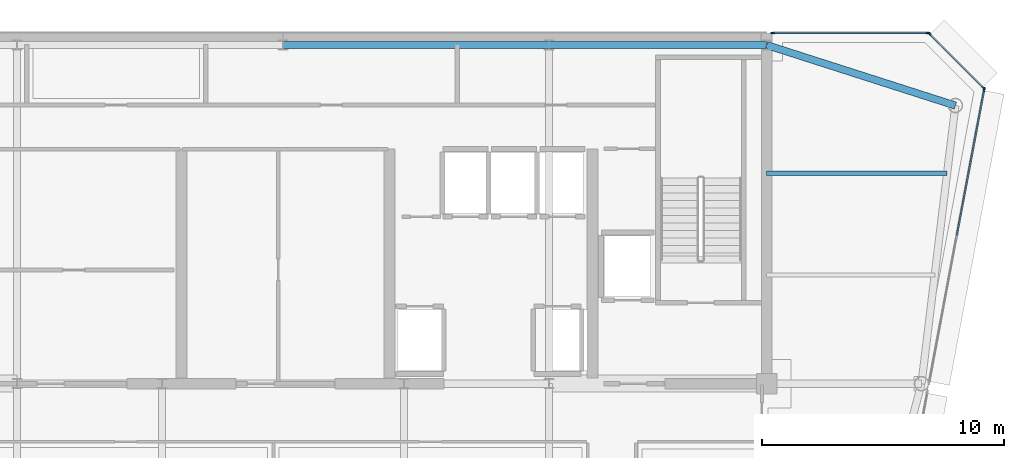
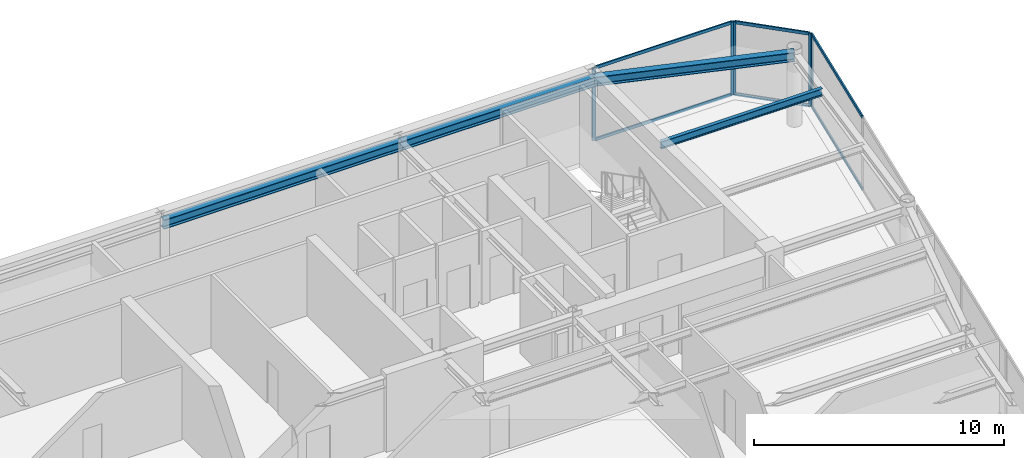
# One storey, part 9 of 20: 11 members, 4 beams, 3 elements without a shape of their own.
"""IFC4 building model written with IfcOpenShell, lengths in metres."""

from ifc_helpers import new_model, si_unit, direction, frame, origin, origin_2d, place, context, subcontext, project, spatial, rectangle, i_section, extrude, source, transform, mapped, material, layer, layer_set, material_profile, profile_set, type_object, element, aggregate, save


model = new_model("IFC4")

# Units and contexts
model_context = context("Model", 3, precision=1e-05, world=origin(), true_north=direction((0.0, 1.0)))
body_context = subcontext(model_context, "Body", "Model", "MODEL_VIEW")
ifc_project = project(units=[si_unit("LENGTHUNIT", "METRE"), si_unit("AREAUNIT", "SQUARE_METRE"), si_unit("VOLUMEUNIT", "CUBIC_METRE"), si_unit("PLANEANGLEUNIT", "RADIAN"), si_unit("MASSUNIT", "GRAM", prefix="KILO")], contexts=[model_context])

# Site, building, storey
site_placement = place(None, origin())
site = spatial("IfcSite", under=ifc_project, at=site_placement, CompositionType="ELEMENT")
building_placement = place(site_placement, origin())
building = spatial("IfcBuilding", under=site, at=building_placement, Name="Vaeldorn Concourse Tower", CompositionType="ELEMENT")
storey_placement = place(building_placement, frame((0.0, 0.0, 284.0)))
storey = spatial("IfcBuildingStorey", under=building, at=storey_placement, Name="L73", CompositionType="ELEMENT", Elevation=284.0)

# Beams
ifc_material_1 = material(Name="Steel S355", Category="steel")
ifc_material_profile_1 = material_profile(ifc_material_1, i_section(OverallWidth=0.300048828125, OverallDepth=0.449951171875, WebThickness=0.013916015625, FlangeThickness=0.02587890625, FilletRadius=0.027099609375, at=origin_2d()), Name="HEB 450")
ifc_profile_set_1 = profile_set([ifc_material_profile_1], Name="Steel S355")
beam_type_1 = type_object("IfcBeamType", Name="BM-PG-HEB450", PredefinedType="BEAM", material=ifc_profile_set_1)
shared_shape_1 = source(origin(), body_context, "Body", "SweptSolid", [
    extrude(i_section(OverallWidth=0.300048828125, OverallDepth=0.449951171875, WebThickness=0.013916015625, FlangeThickness=0.02587890625, FilletRadius=0.027099609375, at=origin_2d()), origin(), (0.0, 0.0, 1.0), 11.0),
])
beam_1_placement = place(storey_placement, frame((34.0, 50.5, 3.35498046875), z_axis=(1.0, 0.0, 0.0), x_axis=(0.0, 1.0, 0.0)))
element("IfcBeam", 1, at=beam_1_placement, inside=storey, type_object=beam_type_1, Name="Beam BM-L73-C-HC3-C-HC4", PredefinedType="BEAM", context=body_context, shape_type="MappedRepresentation", body=[
    mapped(shared_shape_1, transform((0.0, 0.0, 0.0), scale=1.0)),
])
ifc_material_profile_2 = material_profile(ifc_material_1, i_section(OverallWidth=0.169921875, OverallDepth=0.360107421875, WebThickness=0.008056640625, FlangeThickness=0.0126953125, FilletRadius=0.01806640625, at=origin_2d()), Name="IPE 360")
ifc_profile_set_2 = profile_set([ifc_material_profile_2], Name="Steel S355")
beam_type_2 = type_object("IfcBeamType", Name="BM-JS-IPE360", PredefinedType="JOIST", material=ifc_profile_set_2)
shared_shape_2 = source(origin(), body_context, "Body", "SweptSolid", [
    extrude(i_section(OverallWidth=0.169921875, OverallDepth=0.360107421875, WebThickness=0.008056640625, FlangeThickness=0.0126953125, FilletRadius=0.01806640625, at=origin_2d()), origin(), (0.0, 0.0, 1.0), 7.458984375),
])
beam_2_placement = place(storey_placement, frame((54.0, 45.199951171875, 3.39990234375), z_axis=(1.0, 0.0, 0.0), x_axis=(0.0, 1.0, 0.0)))
element("IfcBeam", 2, at=beam_2_placement, inside=storey, type_object=beam_type_2, Name="Beam JS-L73-NE-452", PredefinedType="JOIST", context=body_context, shape_type="MappedRepresentation", body=[
    mapped(shared_shape_2, transform((0.0, 0.0, 0.0), scale=1.0)),
])
shared_shape_3 = source(origin(), body_context, "Body", "SweptSolid", [
    extrude(i_section(OverallWidth=0.300048828125, OverallDepth=0.449951171875, WebThickness=0.013916015625, FlangeThickness=0.02587890625, FilletRadius=0.027099609375, at=origin_2d()), origin(), (0.0, 0.0, 1.0), 9.0),
])
beam_3_placement = place(storey_placement, frame((45.0, 50.5, 3.35498046875), z_axis=(1.0, 0.0, 0.0), x_axis=(0.0, 1.0, 0.0)))
element("IfcBeam", 3, at=beam_3_placement, inside=storey, type_object=beam_type_1, Name="Beam BM-L73-C-HC4-C-HC5", PredefinedType="BEAM", context=body_context, shape_type="MappedRepresentation", body=[
    mapped(shared_shape_3, transform((0.0, 0.0, 0.0), scale=1.0)),
])
shared_shape_4 = source(origin(), body_context, "Body", "SweptSolid", [
    extrude(i_section(OverallWidth=0.300048828125, OverallDepth=0.449951171875, WebThickness=0.013916015625, FlangeThickness=0.02587890625, FilletRadius=0.027099609375, at=origin_2d()), origin(), (0.0, 0.0, 1.0), 8.19091796875),
])
beam_4_placement = place(storey_placement, frame((54.0, 50.5, 3.35498046875), z_axis=(0.952282843383, -0.305216949396, 0.0), x_axis=(0.305216949396, 0.952282843383, 0.0)))
element("IfcBeam", 4, at=beam_4_placement, inside=storey, type_object=beam_type_1, Name="Beam BM-L73-C-HC5-C-NE1", PredefinedType="BEAM", context=body_context, shape_type="MappedRepresentation", body=[
    mapped(shared_shape_4, transform((0.0, 0.0, 0.0), scale=1.0)),
])

# Curtain wall, members
ifc_material_2 = material(Name="Anodised Bronze Aluminium", Category="aluminium")
ifc_layer = layer(ifc_material_2, 0.179931640625)
ifc_layer_set = layer_set([ifc_layer], Name="Anodised Bronze Aluminium")
curtain_wall_type = type_object("IfcCurtainWallType", Name="CW-SYS-05", PredefinedType="NOTDEFINED", material=ifc_layer_set)
curtain_wall_1_placement = place(storey_placement, origin())
curtain_wall_1 = element("IfcCurtainWall", 5, at=curtain_wall_1_placement, inside=storey, type_object=curtain_wall_type, Name="Unitised Curtain Wall CW-L73-E08-1", PredefinedType="NOTDEFINED")
ifc_material_profile_3 = material_profile(ifc_material_2, rectangle(XDim=0.06494140625, YDim=0.14990234375, at=origin_2d()), Name="CWT 65x150")
ifc_profile_set_3 = profile_set([ifc_material_profile_3], Name="Anodised Bronze Aluminium")
member_type_1 = type_object("IfcMemberType", Name="CWT-BRONZE-150", PredefinedType="USERDEFINED", material=ifc_profile_set_3)
shared_shape_5 = source(origin(), body_context, "Body", "SweptSolid", [
    extrude(rectangle(XDim=0.06494140625, YDim=0.14990234375, at=origin_2d()), origin(), (0.0, 0.0, 1.0), 3.123046875),
])
member_1_placement = place(storey_placement, frame((62.9541015625, 48.745849609375, 0.032470703125), z_axis=(-0.707106781187, 0.707106781187, 0.0), x_axis=(-0.707106781187, -0.707106781187, 0.0)))
member_1 = element("IfcMember", 6, at=member_1_placement, type_object=member_type_1, Name="CW-05 transom 1.1", ObjectType="TRANSOM", PredefinedType="USERDEFINED", context=body_context, shape_type="MappedRepresentation", body=[
    mapped(shared_shape_5, transform((0.0, 0.0, 0.0), scale=1.0)),
])
member_2_placement = place(storey_placement, frame((62.9541015625, 48.745849609375, 3.547607421875), z_axis=(-0.707106781187, 0.707106781187, 0.0), x_axis=(-0.707106781187, -0.707106781187, 0.0)))
member_2 = element("IfcMember", 7, at=member_2_placement, type_object=member_type_1, Name="CW-05 transom 1.2", ObjectType="TRANSOM", PredefinedType="USERDEFINED", context=body_context, shape_type="MappedRepresentation", body=[
    mapped(shared_shape_5, transform((0.0, 0.0, 0.0), scale=1.0)),
])

# Curtain wall, member
curtain_wall_2_placement = place(storey_placement, origin())
curtain_wall_2 = element("IfcCurtainWall", 8, at=curtain_wall_2_placement, inside=storey, type_object=curtain_wall_type, Name="Unitised Curtain Wall CW-L73-E07-2", PredefinedType="NOTDEFINED")
ifc_material_profile_4 = material_profile(ifc_material_2, rectangle(XDim=0.06494140625, YDim=0.169921875, at=origin_2d()), Name="CWM 65x170")
ifc_profile_set_4 = profile_set([ifc_material_profile_4], Name="Anodised Bronze Aluminium")
member_type_2 = type_object("IfcMemberType", Name="CWM-BRONZE-170", PredefinedType="MULLION", material=ifc_profile_set_4)
shared_shape_6 = source(origin(), body_context, "Body", "SweptSolid", [
    extrude(rectangle(XDim=0.06494140625, YDim=0.169921875, at=origin_2d()), origin(), (0.0, 0.0, 1.0), 3.580078125),
])
member_3_placement = place(storey_placement, frame((62.993896484375, 48.66796875, 0.0), z_axis=(0.0, 0.0, 1.0), x_axis=(-0.982880218842, 0.184245693053, 0.0)))
member_3 = element("IfcMember", 9, at=member_3_placement, type_object=member_type_2, Name="CW-05 mullion 3", PredefinedType="MULLION", context=body_context, shape_type="MappedRepresentation", body=[
    mapped(shared_shape_6, transform((0.0, 0.0, 0.0), scale=1.0)),
])

# Member
member_4_placement = place(storey_placement, frame((62.97705078125, 48.722900390625, 0.0), z_axis=(0.0, 0.0, 1.0), x_axis=(-0.707106781187, -0.707106781187, 0.0)))
member_4 = element("IfcMember", 10, at=member_4_placement, type_object=member_type_2, Name="CW-05 mullion 1", PredefinedType="MULLION", context=body_context, shape_type="MappedRepresentation", body=[
    mapped(shared_shape_6, transform((0.0, 0.0, 0.0), scale=1.0)),
])

member_5_placement = place(storey_placement, frame((60.722900390625, 50.97705078125, 0.0), z_axis=(0.0, 0.0, 1.0), x_axis=(-0.707106781187, -0.707106781187, 0.0)))
member_5 = element("IfcMember", 11, at=member_5_placement, type_object=member_type_2, Name="CW-05 mullion 2", PredefinedType="MULLION", context=body_context, shape_type="MappedRepresentation", body=[
    mapped(shared_shape_6, transform((0.0, 0.0, 0.0), scale=1.0)),
])

aggregate(curtain_wall_1, [member_4, member_5, member_1, member_2])

# Curtain wall, members
curtain_wall_3_placement = place(storey_placement, origin())
curtain_wall_3 = element("IfcCurtainWall", 12, at=curtain_wall_3_placement, inside=storey, type_object=curtain_wall_type, Name="Unitised Curtain Wall CW-L73-E09-1", PredefinedType="NOTDEFINED")
member_6_placement = place(storey_placement, frame((60.66748046875, 51.0, 0.0), z_axis=(0.0, 0.0, 1.0), x_axis=(0.0, -1.0, 0.0)))
member_6 = element("IfcMember", 13, at=member_6_placement, type_object=member_type_2, Name="CW-05 mullion 1", PredefinedType="MULLION", context=body_context, shape_type="MappedRepresentation", body=[
    mapped(shared_shape_6, transform((0.0, 0.0, 0.0), scale=1.0)),
])
member_7_placement = place(storey_placement, frame((54.25244140625, 51.0, 0.0), z_axis=(0.0, 0.0, 1.0), x_axis=(0.0, -1.0, 0.0)))
member_7 = element("IfcMember", 14, at=member_7_placement, type_object=member_type_2, Name="CW-05 mullion 2", PredefinedType="MULLION", context=body_context, shape_type="MappedRepresentation", body=[
    mapped(shared_shape_6, transform((0.0, 0.0, 0.0), scale=1.0)),
])
shared_shape_7 = source(origin(), body_context, "Body", "SweptSolid", [
    extrude(rectangle(XDim=0.06494140625, YDim=0.14990234375, at=origin_2d()), origin(), (0.0, 0.0, 1.0), 6.35009765625),
])
member_8_placement = place(storey_placement, frame((60.635009765625, 51.0, 0.032470703125), z_axis=(-1.0, 0.0, 0.0), x_axis=(0.0, -1.0, 0.0)))
member_8 = element("IfcMember", 15, at=member_8_placement, type_object=member_type_1, Name="CW-05 transom 1.1", ObjectType="TRANSOM", PredefinedType="USERDEFINED", context=body_context, shape_type="MappedRepresentation", body=[
    mapped(shared_shape_7, transform((0.0, 0.0, 0.0), scale=1.0)),
])
member_9_placement = place(storey_placement, frame((60.635009765625, 51.0, 3.547607421875), z_axis=(-1.0, 0.0, 0.0), x_axis=(0.0, -1.0, 0.0)))
member_9 = element("IfcMember", 16, at=member_9_placement, type_object=member_type_1, Name="CW-05 transom 1.2", ObjectType="TRANSOM", PredefinedType="USERDEFINED", context=body_context, shape_type="MappedRepresentation", body=[
    mapped(shared_shape_7, transform((0.0, 0.0, 0.0), scale=1.0)),
])
aggregate(curtain_wall_3, [member_6, member_7, member_8, member_9])

# Member
shared_shape_8 = source(origin(), body_context, "Body", "SweptSolid", [
    extrude(rectangle(XDim=0.06494140625, YDim=0.14990234375, at=origin_2d()), origin(), (0.0, 0.0, 1.0), 6.103515625),
])
member_10_placement = place(storey_placement, frame((61.863525390625, 42.63720703125, 0.032470703125), z_axis=(0.18424023288, 0.982881242363, 0.0), x_axis=(-0.982881242363, 0.18424023288, 0.0)))
member_10 = element("IfcMember", 17, at=member_10_placement, type_object=member_type_1, Name="CW-05 transom 2.1", ObjectType="TRANSOM", PredefinedType="USERDEFINED", context=body_context, shape_type="MappedRepresentation", body=[
    mapped(shared_shape_8, transform((0.0, 0.0, 0.0), scale=1.0)),
])

member_11_placement = place(storey_placement, frame((61.863525390625, 42.63720703125, 3.547607421875), z_axis=(0.18424023288, 0.982881242363, 0.0), x_axis=(-0.982881242363, 0.18424023288, 0.0)))
member_11 = element("IfcMember", 18, at=member_11_placement, type_object=member_type_1, Name="CW-05 transom 2.2", ObjectType="TRANSOM", PredefinedType="USERDEFINED", context=body_context, shape_type="MappedRepresentation", body=[
    mapped(shared_shape_8, transform((0.0, 0.0, 0.0), scale=1.0)),
])

aggregate(curtain_wall_2, [member_3, member_10, member_11])

save(model, "model.ifc")
